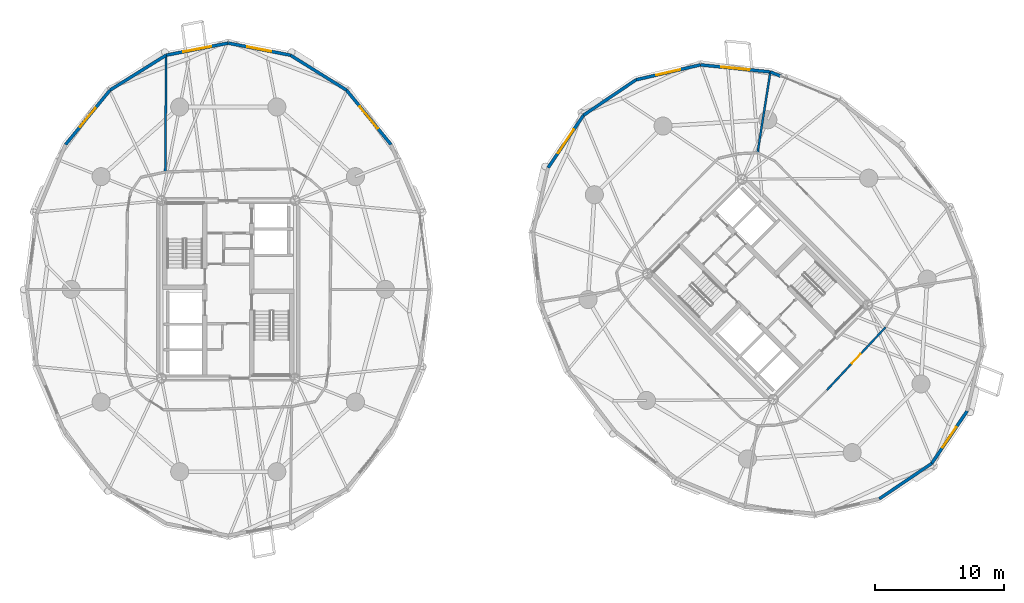
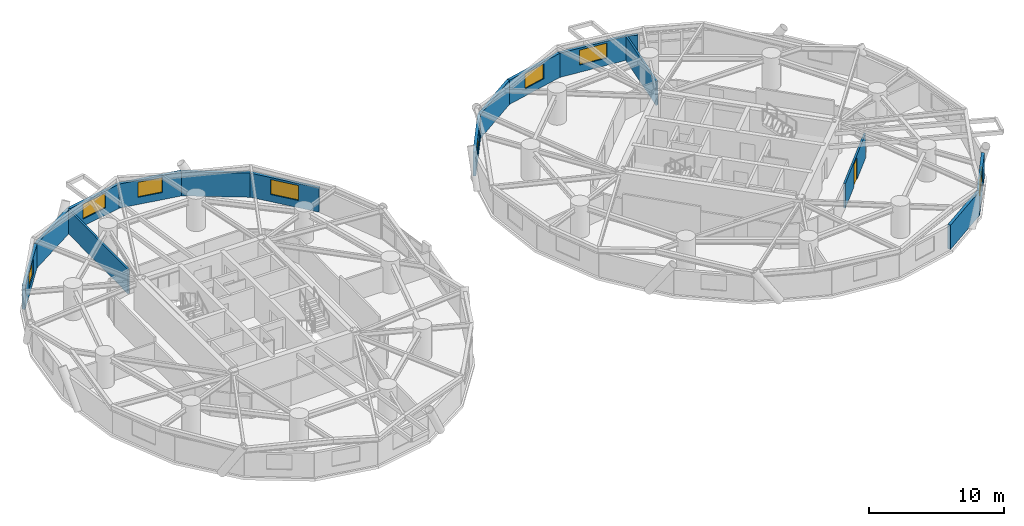
# One storey, part 13 of 16: 16 walls, 8 windows, 1 door, 9 openings.
"""IFC4 building model written with IfcOpenShell, lengths in metres."""

import ifcopenshell
import ifcopenshell.guid

model = None  # the IFC model being written
_history = None  # IfcOwnerHistory: only IFC2X3 demands one
_inside = {}  # id of a spatial element -> (the spatial element, [elements in it])
_under = {}  # id of a project, library or spatial element -> (it, [spatial elements below it])
_declared = {}  # id of a project -> (the project, [libraries it declares])
_typed = {}  # id of a type object -> (the type object, [elements of that type])
_made_of = {}  # id of a material, layer set ... -> (it, [elements and type objects made of it])


def new_model(schema):
    """Start an empty IFC model of exactly this schema.

    Asked for "IFC4X3", IfcOpenShell would pick the latest addendum, in which some entities
    have other attributes; the version numbers below select the first issue.
    IFC2X3 requires an IfcOwnerHistory on every rooted entity: one is made here for all.
    """
    global model, _history
    if schema == "IFC4X3":
        model = ifcopenshell.file(schema_version=(4, 3, 0, 0))
    else:
        model = ifcopenshell.file(schema=schema)
    _inside.clear()
    _under.clear()
    _declared.clear()
    _typed.clear()
    _made_of.clear()
    _history = None
    if model.schema == "IFC2X3":
        org = make("IfcOrganization", Name="unknown")
        user = make(
            "IfcPersonAndOrganization",
            ThePerson=make("IfcPerson", FamilyName="unknown"),
            TheOrganization=org,
        )
        app = make(
            "IfcApplication",
            ApplicationDeveloper=org,
            Version="unknown",
            ApplicationFullName="unknown",
            ApplicationIdentifier="unknown",
        )
        _history = make(
            "IfcOwnerHistory",
            OwningUser=user,
            OwningApplication=app,
            ChangeAction="ADDED",
            CreationDate=0,
        )
    return model


def make(cls, **values):
    """One entity of the class cls with the attributes given. An attribute that is None is left unset."""
    return model.create_entity(
        cls, **{name: value for name, value in values.items() if value is not None}
    )


def rooted(cls, **values):
    """An entity with a GlobalId (a new one), such as an element, a storey or a relation."""
    return make(cls, GlobalId=ifcopenshell.guid.new(), OwnerHistory=_history, **values)


def si_unit(unit_type, name, prefix=None):
    """IfcSIUnit, for example si_unit("LENGTHUNIT", "METRE", prefix="MILLI")."""
    return make("IfcSIUnit", UnitType=unit_type, Prefix=prefix, Name=name)


def assignment(units):
    """IfcUnitAssignment: the units of a project."""
    return None if units is None else make("IfcUnitAssignment", Units=units)


def point(xyz):
    """IfcCartesianPoint."""
    return None if xyz is None else make("IfcCartesianPoint", Coordinates=xyz)


def direction(xyz):
    """IfcDirection."""
    return None if xyz is None else make("IfcDirection", DirectionRatios=xyz)


def frame(location, z_axis=None, x_axis=None):
    """IfcAxis2Placement3D, a coordinate frame: its origin and axes. An axis left out is left unset."""
    return make(
        "IfcAxis2Placement3D",
        Location=point(location),
        Axis=direction(z_axis),
        RefDirection=direction(x_axis),
    )


def frame_2d(location, x_axis=None):
    """IfcAxis2Placement2D, a coordinate frame in the plane: its origin and x axis."""
    return make(
        "IfcAxis2Placement2D", Location=point(location), RefDirection=direction(x_axis)
    )


def origin():
    """The frame at (0, 0, 0) with its axes left unset."""
    return frame((0.0, 0.0, 0.0))


def place(relative_to, where):
    """IfcLocalPlacement: puts the frame where relative to a parent placement (None: the world)."""
    return make(
        "IfcLocalPlacement", PlacementRelTo=relative_to, RelativePlacement=where
    )


def context(
    kind, dimensions, precision=None, world=None, true_north=None, identifier=None
):
    """IfcGeometricRepresentationContext, for example the 3D "Model" context."""
    return make(
        "IfcGeometricRepresentationContext",
        ContextIdentifier=identifier,
        ContextType=kind,
        CoordinateSpaceDimension=dimensions,
        Precision=precision,
        WorldCoordinateSystem=world,
        TrueNorth=true_north,
    )


def subcontext(parent, identifier, kind, view, scale=None):
    """IfcGeometricRepresentationSubContext, for example "Body" below "Model"."""
    return make(
        "IfcGeometricRepresentationSubContext",
        ContextIdentifier=identifier,
        ContextType=kind,
        ParentContext=parent,
        TargetScale=scale,
        TargetView=view,
    )


def project(units=None, contexts=None):
    """IfcProject with its units and contexts."""
    return rooted(
        "IfcProject",
        Name="project",
        RepresentationContexts=contexts,
        UnitsInContext=assignment(units),
    )


def spatial(cls, under=None, at=None, **own):
    """A site, building, storey or space (cls), placed at a placement, below another one or the project."""
    s = rooted(cls, ObjectPlacement=at, **own)
    if under is not None:
        _under.setdefault(under.id(), (under, []))[1].append(s)
    return s


def profile(cls, at=None, kind="AREA", **sizes):
    """A parametric profile (cls). Its sizes go by their IFC names, for example OverallWidth=200.0."""
    return make(cls, ProfileType=kind, Position=at, **sizes)


def rectangle(**sizes):
    """IfcRectangleProfileDef."""
    return profile("IfcRectangleProfileDef", **sizes)


def extrude(swept, where, along, depth):
    """IfcExtrudedAreaSolid: the profile swept, set in the frame where, extruded along a direction by depth."""
    return make(
        "IfcExtrudedAreaSolid",
        SweptArea=swept,
        Position=where,
        ExtrudedDirection=direction(along),
        Depth=depth,
    )


def shape(context_of_items, identifier, shape_type, items):
    """IfcShapeRepresentation: the items that make up one representation, for example the "Body"."""
    return make(
        "IfcShapeRepresentation",
        ContextOfItems=context_of_items,
        RepresentationIdentifier=identifier,
        RepresentationType=shape_type,
        Items=items,
    )


def source(mapping_origin, context_of_items, identifier, shape_type, items):
    """IfcRepresentationMap: a shape defined once, which mapped items show again and again."""
    return make(
        "IfcRepresentationMap",
        MappingOrigin=mapping_origin,
        MappedRepresentation=shape(context_of_items, identifier, shape_type, items),
    )


def transform(
    local_origin,
    x_axis=None,
    y_axis=None,
    z_axis=None,
    scale=None,
    scale2=None,
    scale3=None,
    uniform=True,
):
    """IfcCartesianTransformationOperator3D, or its non-uniform kind. x_axis, y_axis, z_axis: its Axis1, 2, 3."""
    if uniform:
        return make(
            "IfcCartesianTransformationOperator3D",
            Axis1=direction(x_axis),
            Axis2=direction(y_axis),
            LocalOrigin=point(local_origin),
            Scale=scale,
            Axis3=direction(z_axis),
        )
    return make(
        "IfcCartesianTransformationOperator3DnonUniform",
        Axis1=direction(x_axis),
        Axis2=direction(y_axis),
        LocalOrigin=point(local_origin),
        Scale=scale,
        Axis3=direction(z_axis),
        Scale2=scale2,
        Scale3=scale3,
    )


def mapped(mapping_source, mapping_target):
    """IfcMappedItem: shows the shape of a source again, moved by a transform."""
    return make(
        "IfcMappedItem", MappingSource=mapping_source, MappingTarget=mapping_target
    )


def material(Name=None, Category=None):
    """IfcMaterial."""
    return make("IfcMaterial", Name=Name, Category=Category)


def layer(
    of_material, thickness, ventilated=None, Name=None, Category=None, Priority=None
):
    """IfcMaterialLayer: one layer of a wall or slab, of a material (None: an air gap)."""
    return make(
        "IfcMaterialLayer",
        Material=of_material,
        LayerThickness=thickness,
        IsVentilated=ventilated,
        Name=Name,
        Category=Category,
        Priority=Priority,
    )


def layer_set(layers, Name=None):
    """IfcMaterialLayerSet."""
    return make("IfcMaterialLayerSet", MaterialLayers=layers, LayerSetName=Name)


def made_of(thing, what):
    """Note that an element or type object is made of a material, layer set ...; save() writes the relation."""
    if what is not None:
        _made_of.setdefault(what.id(), (what, []))[1].append(thing)
    return thing


def type_object(cls, material=None, **own):
    """A type object (cls), such as IfcWallType, which elements share."""
    return made_of(rooted(cls, **own), material)


def element(
    cls,
    number,
    at=None,
    inside=None,
    cuts=None,
    type_object=None,
    material=None,
    context=None,
    identifier="Body",
    shape_type=None,
    held_by="IfcProductDefinitionShape",
    body=None,
    shapes=None,
    **own,
):
    """One element of the class cls, such as IfcWall. Its Tag is "e" and its number.

    at: its placement. inside: the storey or other place that contains it. cuts: it is an
    opening in that element (IfcRelVoidsElement). A single representation is given by context,
    identifier, shape_type and body (its items); several are given by shapes. held_by: the class
    of the entity that holds the representations. save() writes the other relations.
    """
    e = rooted(cls, Tag="e%d" % number, ObjectPlacement=at, **own)
    if body is not None:
        shapes = [shape(context, identifier, shape_type, body)]
    if shapes is not None:
        e.Representation = make(held_by, Representations=shapes)
    if inside is not None:
        _inside.setdefault(inside.id(), (inside, []))[1].append(e)
    if cuts is not None:
        rooted(
            "IfcRelVoidsElement", RelatingBuildingElement=cuts, RelatedOpeningElement=e
        )
    if type_object is not None:
        _typed.setdefault(type_object.id(), (type_object, []))[1].append(e)
    return made_of(e, material)


def fill(opening, filler):
    """IfcRelFillsElement: the door or window that sits in an opening."""
    return rooted(
        "IfcRelFillsElement",
        RelatingOpeningElement=opening,
        RelatedBuildingElement=filler,
    )


def aggregate(whole, parts):
    """IfcRelAggregates: a whole, such as a stair, and the parts it consists of."""
    return rooted("IfcRelAggregates", RelatingObject=whole, RelatedObjects=parts)


def save(model, path):
    """Write the relations noted so far, then the file.

    IfcRelAggregates (storeys below a building ...), IfcRelContainedInSpatialStructure (elements
    in a storey), IfcRelDefinesByType, IfcRelAssociatesMaterial and IfcRelDeclares: one each for
    every whole, place, type object, material and project.
    """
    for whole, parts in _under.values():
        aggregate(whole, parts)
    for where, things in _inside.values():
        rooted(
            "IfcRelContainedInSpatialStructure",
            RelatedElements=things,
            RelatingStructure=where,
        )
    for kind, things in _typed.values():
        rooted("IfcRelDefinesByType", RelatedObjects=things, RelatingType=kind)
    for what, things in _made_of.values():
        rooted("IfcRelAssociatesMaterial", RelatedObjects=things, RelatingMaterial=what)
    for by, libraries in _declared.values():
        rooted("IfcRelDeclares", RelatingContext=by, RelatedDefinitions=libraries)
    model.write(path)


model = new_model("IFC4")

# Units and contexts
model_context = context("Model", 3, precision=1e-05, world=origin(), true_north=direction((0.0, 1.0)))
body_context = subcontext(model_context, "Body", "Model", "MODEL_VIEW")
ifc_project = project(units=[si_unit("LENGTHUNIT", "METRE"), si_unit("AREAUNIT", "SQUARE_METRE"), si_unit("VOLUMEUNIT", "CUBIC_METRE"), si_unit("PLANEANGLEUNIT", "RADIAN"), si_unit("MASSUNIT", "GRAM", prefix="KILO")], contexts=[model_context])

# Site, building, storey
site_placement = place(None, origin())
site = spatial("IfcSite", under=ifc_project, at=site_placement, CompositionType="ELEMENT")
building_placement = place(site_placement, origin())
building = spatial("IfcBuilding", under=site, at=building_placement, Name="Cununo Teusaquillo Station Towers", CompositionType="ELEMENT")
storey_placement = place(building_placement, frame((0.0, 0.0, 73.06005859375)))
storey = spatial("IfcBuildingStorey", under=building, at=storey_placement, Name="L22", CompositionType="ELEMENT", Elevation=73.06005859375)

# Wall, opening, window
ifc_material_1 = material(Name="Precast concrete C40/50", Category="concrete")
ifc_layer_1 = layer(ifc_material_1, 0.239990234375)
ifc_layer_set_1 = layer_set([ifc_layer_1], Name="Precast concrete C40/50")
wall_type_1 = type_object("IfcWallType", Name="WL-EXT-240", PredefinedType="SOLIDWALL", material=ifc_layer_set_1)
wall_1_placement = place(storey_placement, frame((25.658203125, 39.927978515625, 0.0), z_axis=(0.0, 0.0, 1.0), x_axis=(0.632700781152, -0.77439635945, 0.0)))
wall_1 = element("IfcWall", 1, at=wall_1_placement, inside=storey, type_object=wall_type_1, Name="L22 Tower A Exterior Facade Wall C02", PredefinedType="SOLIDWALL", context=body_context, shape_type="SweptSolid", body=[
    extrude(rectangle(XDim=5.447998046875, YDim=0.239990234375, at=frame_2d((2.72412109375, 0.0))), origin(), (0.0, 0.0, 1.0), 2.178955078125),
])
shared_shape_1 = source(origin(), body_context, "Body", "SweptSolid", [
    extrude(rectangle(XDim=2.199951171875, YDim=1.35009765625, at=frame_2d((1.10009765625, 0.675048828125))), frame((0.0, 0.1298828125, 0.0), z_axis=(0.0, -1.0, 0.0), x_axis=(1.0, 0.0, 0.0)), (0.0, 0.0, 1.0), 0.260009765625),
])
opening_1_placement = place(wall_1_placement, frame((1.6240234375, 0.0, 0.64990234375)))
opening_1 = element("IfcOpeningElement", 2, at=opening_1_placement, cuts=wall_1, Name="Opening WN-01", PredefinedType="OPENING", context=body_context, shape_type="MappedRepresentation", body=[
    mapped(shared_shape_1, transform((0.0, 0.0, 0.0), x_axis=(1.0, 0.0, 0.0), y_axis=(0.0, 1.0, 0.0), z_axis=(0.0, 0.0, 1.0), scale=1.0)),
])
ifc_material_2 = material(Name="Ceramic-fritted dark low-E double glazing", Category="glass")
window_type_1 = type_object("IfcWindowType", Name="WIN-FRIT-2200", PartitioningType="DOUBLE_PANEL_VERTICAL", PredefinedType="WINDOW", material=ifc_material_2)
shared_shape_2 = source(origin(), body_context, "Body", "SweptSolid", [
    extrude(rectangle(XDim=2.199951171875, YDim=1.35009765625, at=frame_2d((1.10009765625, 0.675048828125))), frame((0.0, 0.030029296875, 0.0), z_axis=(0.0, -1.0, 0.0), x_axis=(1.0, 0.0, 0.0)), (0.0, 0.0, 1.0), 0.06005859375),
])
window_1_placement = place(opening_1_placement, origin())
window_1 = element("IfcWindow", 3, at=window_1_placement, inside=storey, type_object=window_type_1, Name="L22 Tower A Facade Window C02", OverallHeight=1.35009765625, OverallWidth=2.199951171875, PartitioningType="DOUBLE_PANEL_VERTICAL", PredefinedType="WINDOW", context=body_context, shape_type="MappedRepresentation", body=[
    mapped(shared_shape_2, transform((0.0, 0.0, 0.0), x_axis=(1.0, 0.0, 0.0), y_axis=(0.0, 1.0, 0.0), z_axis=(0.0, 0.0, 1.0), scale=1.0)),
])
fill(opening_1, window_1)

# Wall
wall_2_placement = place(storey_placement, frame((21.314697265625, 42.63671875, 0.0), z_axis=(0.0, 0.0, 1.0), x_axis=(0.848520380187, -0.529162701263, 0.0)))
element("IfcWall", 4, at=wall_2_placement, inside=storey, type_object=wall_type_1, Name="L22 Tower A Exterior Facade Wall C03", PredefinedType="SOLIDWALL", context=body_context, shape_type="SweptSolid", body=[
    extrude(rectangle(XDim=5.118896484375, YDim=0.239990234375, at=frame_2d((2.5595703125, 0.0))), origin(), (0.0, 0.0, 1.0), 2.178955078125),
])

# Wall, opening, window
wall_3_placement = place(storey_placement, frame((16.5, 43.570068359375, 0.0), z_axis=(0.0, 0.0, 1.0), x_axis=(0.981723785992, -0.190311344954, 0.0)))
wall_3 = element("IfcWall", 5, at=wall_3_placement, inside=storey, type_object=wall_type_1, Name="L22 Tower A Exterior Facade Wall C04", PredefinedType="SOLIDWALL", context=body_context, shape_type="SweptSolid", body=[
    extrude(rectangle(XDim=4.904296875, YDim=0.239990234375, at=frame_2d((2.4521484375, 0.0))), origin(), (0.0, 0.0, 1.0), 2.178955078125),
])
shared_shape_3 = source(origin(), body_context, "Body", "SweptSolid", [
    extrude(rectangle(XDim=1.89990234375, YDim=1.35009765625, at=frame_2d((0.949951171875, 0.675048828125))), frame((0.0, 0.1298828125, 0.0), z_axis=(0.0, -1.0, 0.0), x_axis=(1.0, 0.0, 0.0)), (0.0, 0.0, 1.0), 0.260009765625),
])
opening_2_placement = place(wall_3_placement, frame((1.501953125, 0.0, 0.64990234375)))
opening_2 = element("IfcOpeningElement", 6, at=opening_2_placement, cuts=wall_3, Name="Opening WN-02", PredefinedType="OPENING", context=body_context, shape_type="MappedRepresentation", body=[
    mapped(shared_shape_3, transform((0.0, 0.0, 0.0), x_axis=(1.0, 0.0, 0.0), y_axis=(0.0, 1.0, 0.0), z_axis=(0.0, 0.0, 1.0), scale=1.0)),
])
ifc_material_3 = material(Name="Operable acoustic tinted low-E double glazing", Category="glass")
window_type_2 = type_object("IfcWindowType", Name="WIN-OPER-1900", PartitioningType="DOUBLE_PANEL_VERTICAL", PredefinedType="WINDOW", material=ifc_material_3)
shared_shape_4 = source(origin(), body_context, "Body", "SweptSolid", [
    extrude(rectangle(XDim=1.89990234375, YDim=1.35009765625, at=frame_2d((0.949951171875, 0.675048828125))), frame((0.0, 0.030029296875, 0.0), z_axis=(0.0, -1.0, 0.0), x_axis=(1.0, 0.0, 0.0)), (0.0, 0.0, 1.0), 0.06005859375),
])
window_2_placement = place(opening_2_placement, origin())
window_2 = element("IfcWindow", 7, at=window_2_placement, inside=storey, type_object=window_type_2, Name="L22 Tower A Facade Window C04", OverallHeight=1.35009765625, OverallWidth=1.89990234375, PartitioningType="DOUBLE_PANEL_VERTICAL", PredefinedType="WINDOW", context=body_context, shape_type="MappedRepresentation", body=[
    mapped(shared_shape_4, transform((0.0, 0.0, 0.0), x_axis=(1.0, 0.0, 0.0), y_axis=(0.0, 1.0, 0.0), z_axis=(0.0, 0.0, 1.0), scale=1.0)),
])
fill(opening_2, window_2)

wall_4_placement = place(storey_placement, frame((11.685302734375, 42.63671875, 0.0), z_axis=(0.0, 0.0, 1.0), x_axis=(0.981723785992, 0.190311344954, 0.0)))
wall_4 = element("IfcWall", 8, at=wall_4_placement, inside=storey, type_object=wall_type_1, Name="L22 Tower A Exterior Facade Wall C05", PredefinedType="SOLIDWALL", context=body_context, shape_type="SweptSolid", body=[
    extrude(rectangle(XDim=4.904296875, YDim=0.239990234375, at=frame_2d((2.4521484375, 0.0))), origin(), (0.0, 0.0, 1.0), 2.178955078125),
])
opening_3_placement = place(wall_4_placement, frame((1.35205078125, 0.0, 0.64990234375)))
opening_3 = element("IfcOpeningElement", 9, at=opening_3_placement, cuts=wall_4, Name="Opening WN-01", PredefinedType="OPENING", context=body_context, shape_type="MappedRepresentation", body=[
    mapped(shared_shape_1, transform((0.0, 0.0, 0.0), x_axis=(1.0, 0.0, 0.0), y_axis=(0.0, 1.0, 0.0), z_axis=(0.0, 0.0, 1.0), scale=1.0)),
])
window_3_placement = place(opening_3_placement, origin())
window_3 = element("IfcWindow", 10, at=window_3_placement, inside=storey, type_object=window_type_1, Name="L22 Tower A Facade Window C05", OverallHeight=1.35009765625, OverallWidth=2.199951171875, PartitioningType="DOUBLE_PANEL_VERTICAL", PredefinedType="WINDOW", context=body_context, shape_type="MappedRepresentation", body=[
    mapped(shared_shape_2, transform((0.0, 0.0, 0.0), x_axis=(1.0, 0.0, 0.0), y_axis=(0.0, 1.0, 0.0), z_axis=(0.0, 0.0, 1.0), scale=1.0)),
])
fill(opening_3, window_3)

# Wall
wall_5_placement = place(storey_placement, frame((7.341796875, 39.927978515625, 0.0), z_axis=(0.0, 0.0, 1.0), x_axis=(0.848520380187, 0.529162701263, 0.0)))
element("IfcWall", 11, at=wall_5_placement, inside=storey, type_object=wall_type_1, Name="L22 Tower A Exterior Facade Wall C06", PredefinedType="SOLIDWALL", context=body_context, shape_type="SweptSolid", body=[
    extrude(rectangle(XDim=5.118896484375, YDim=0.239990234375, at=frame_2d((2.5595703125, 0.0))), origin(), (0.0, 0.0, 1.0), 2.178955078125),
])

# Wall, opening, window
wall_6_placement = place(storey_placement, frame((3.894775390625, 35.708984375, 0.0), z_axis=(0.0, 0.0, 1.0), x_axis=(0.632700781152, 0.77439635945, 0.0)))
wall_6 = element("IfcWall", 12, at=wall_6_placement, inside=storey, type_object=wall_type_1, Name="L22 Tower A Exterior Facade Wall C07", PredefinedType="SOLIDWALL", context=body_context, shape_type="SweptSolid", body=[
    extrude(rectangle(XDim=5.447998046875, YDim=0.239990234375, at=frame_2d((2.72412109375, 0.0))), origin(), (0.0, 0.0, 1.0), 2.178955078125),
])
opening_4_placement = place(wall_6_placement, frame((1.77392578125, 0.0, 0.64990234375)))
opening_4 = element("IfcOpeningElement", 13, at=opening_4_placement, cuts=wall_6, Name="Opening WN-02", PredefinedType="OPENING", context=body_context, shape_type="MappedRepresentation", body=[
    mapped(shared_shape_3, transform((0.0, 0.0, 0.0), x_axis=(1.0, 0.0, 0.0), y_axis=(0.0, 1.0, 0.0), z_axis=(0.0, 0.0, 1.0), scale=1.0)),
])
window_4_placement = place(opening_4_placement, origin())
window_4 = element("IfcWindow", 14, at=window_4_placement, inside=storey, type_object=window_type_2, Name="L22 Tower A Facade Window C07", OverallHeight=1.35009765625, OverallWidth=1.89990234375, PartitioningType="DOUBLE_PANEL_VERTICAL", PredefinedType="WINDOW", context=body_context, shape_type="MappedRepresentation", body=[
    mapped(shared_shape_4, transform((0.0, 0.0, 0.0), x_axis=(1.0, 0.0, 0.0), y_axis=(0.0, 1.0, 0.0), z_axis=(0.0, 0.0, 1.0), scale=1.0)),
])
fill(opening_4, window_4)

# Wall
wall_7_placement = place(storey_placement, frame((58.4873046875, 41.33935546875, 0.0), z_axis=(0.0, 0.0, 1.0), x_axis=(0.924556017656, -0.381046152345, 0.0)))
element("IfcWall", 15, at=wall_7_placement, inside=storey, type_object=wall_type_1, Name="L22 Tower B Column Pier Cladding Wall C01-PA", PredefinedType="SOLIDWALL", context=body_context, shape_type="SweptSolid", body=[
    extrude(rectangle(XDim=0.8701171875, YDim=0.239990234375, at=frame_2d((0.43505859375, 0.0))), origin(), (0.0, 0.0, 1.0), 2.178955078125),
])

# Wall, opening, window
wall_8_placement = place(storey_placement, frame((53.066650390625, 41.885009765625, 0.0), z_axis=(0.0, 0.0, 1.0), x_axis=(0.994971754311, -0.10015591906, 0.0)))
wall_8 = element("IfcWall", 16, at=wall_8_placement, inside=storey, type_object=wall_type_1, Name="L22 Tower B Exterior Facade Wall C02", PredefinedType="SOLIDWALL", context=body_context, shape_type="SweptSolid", body=[
    extrude(rectangle(XDim=5.447998046875, YDim=0.239990234375, at=frame_2d((2.72412109375, 0.0))), origin(), (0.0, 0.0, 1.0), 2.178955078125),
])
opening_5_placement = place(wall_8_placement, frame((1.6240234375, 0.0, 0.64990234375)))
opening_5 = element("IfcOpeningElement", 17, at=opening_5_placement, cuts=wall_8, Name="Opening WN-01", PredefinedType="OPENING", context=body_context, shape_type="MappedRepresentation", body=[
    mapped(shared_shape_1, transform((0.0, 0.0, 0.0), x_axis=(1.0, 0.0, 0.0), y_axis=(0.0, 1.0, 0.0), z_axis=(0.0, 0.0, 1.0), scale=1.0)),
])
window_5_placement = place(opening_5_placement, origin())
window_5 = element("IfcWindow", 18, at=window_5_placement, inside=storey, type_object=window_type_1, Name="L22 Tower B Facade Window C02", OverallHeight=1.35009765625, OverallWidth=2.199951171875, PartitioningType="DOUBLE_PANEL_VERTICAL", PredefinedType="WINDOW", context=body_context, shape_type="MappedRepresentation", body=[
    mapped(shared_shape_2, transform((0.0, 0.0, 0.0), x_axis=(1.0, 0.0, 0.0), y_axis=(0.0, 1.0, 0.0), z_axis=(0.0, 0.0, 1.0), scale=1.0)),
])
fill(opening_5, window_5)

wall_9_placement = place(storey_placement, frame((48.080078125, 40.72900390625, 0.0), z_axis=(0.0, 0.0, 1.0), x_axis=(0.974165631126, 0.225834725257, 0.0)))
wall_9 = element("IfcWall", 19, at=wall_9_placement, inside=storey, type_object=wall_type_1, Name="L22 Tower B Exterior Facade Wall C03", PredefinedType="SOLIDWALL", context=body_context, shape_type="SweptSolid", body=[
    extrude(rectangle(XDim=5.118896484375, YDim=0.239990234375, at=frame_2d((2.5595703125, 0.0))), origin(), (0.0, 0.0, 1.0), 2.178955078125),
])
opening_6_placement = place(wall_9_placement, frame((1.60888671875, 0.0, 0.64990234375)))
opening_6 = element("IfcOpeningElement", 20, at=opening_6_placement, cuts=wall_9, Name="Opening WN-02", PredefinedType="OPENING", context=body_context, shape_type="MappedRepresentation", body=[
    mapped(shared_shape_3, transform((0.0, 0.0, 0.0), x_axis=(1.0, 0.0, 0.0), y_axis=(0.0, 1.0, 0.0), z_axis=(0.0, 0.0, 1.0), scale=1.0)),
])
window_6_placement = place(opening_6_placement, origin())
window_6 = element("IfcWindow", 21, at=window_6_placement, inside=storey, type_object=window_type_2, Name="L22 Tower B Facade Window C03", OverallHeight=1.35009765625, OverallWidth=1.89990234375, PartitioningType="DOUBLE_PANEL_VERTICAL", PredefinedType="WINDOW", context=body_context, shape_type="MappedRepresentation", body=[
    mapped(shared_shape_4, transform((0.0, 0.0, 0.0), x_axis=(1.0, 0.0, 0.0), y_axis=(0.0, 1.0, 0.0), z_axis=(0.0, 0.0, 1.0), scale=1.0)),
])
fill(opening_6, window_6)

# Wall
wall_10_placement = place(storey_placement, frame((44.015380859375, 37.984619140625, 0.0), z_axis=(0.0, 0.0, 1.0), x_axis=(0.828781148131, 0.559572880421, 0.0)))
element("IfcWall", 22, at=wall_10_placement, inside=storey, type_object=wall_type_1, Name="L22 Tower B Exterior Facade Wall C04", PredefinedType="SOLIDWALL", context=body_context, shape_type="SweptSolid", body=[
    extrude(rectangle(XDim=4.904541015625, YDim=0.239990234375, at=frame_2d((2.4521484375, 0.0))), origin(), (0.0, 0.0, 1.0), 2.178955078125),
])

# Wall, opening, window
wall_11_placement = place(storey_placement, frame((41.27099609375, 33.919921875, 0.0), z_axis=(0.0, 0.0, 1.0), x_axis=(0.559572880421, 0.828781148131, 0.0)))
wall_11 = element("IfcWall", 23, at=wall_11_placement, inside=storey, type_object=wall_type_1, Name="L22 Tower B Exterior Facade Wall C05", PredefinedType="SOLIDWALL", context=body_context, shape_type="SweptSolid", body=[
    extrude(rectangle(XDim=4.904541015625, YDim=0.239990234375, at=frame_2d((2.4521484375, 0.0))), origin(), (0.0, 0.0, 1.0), 2.178955078125),
])
opening_7_placement = place(wall_11_placement, frame((1.35205078125, 0.0, 0.64990234375)))
opening_7 = element("IfcOpeningElement", 24, at=opening_7_placement, cuts=wall_11, Name="Opening WN-01", PredefinedType="OPENING", context=body_context, shape_type="MappedRepresentation", body=[
    mapped(shared_shape_1, transform((0.0, 0.0, 0.0), x_axis=(1.0, 0.0, 0.0), y_axis=(0.0, 1.0, 0.0), z_axis=(0.0, 0.0, 1.0), scale=1.0)),
])
window_7_placement = place(opening_7_placement, origin())
window_7 = element("IfcWindow", 25, at=window_7_placement, inside=storey, type_object=window_type_1, Name="L22 Tower B Facade Window C05", OverallHeight=1.35009765625, OverallWidth=2.199951171875, PartitioningType="DOUBLE_PANEL_VERTICAL", PredefinedType="WINDOW", context=body_context, shape_type="MappedRepresentation", body=[
    mapped(shared_shape_2, transform((0.0, 0.0, 0.0), x_axis=(1.0, 0.0, 0.0), y_axis=(0.0, 1.0, 0.0), z_axis=(0.0, 0.0, 1.0), scale=1.0)),
])
fill(opening_7, window_7)

# Wall
wall_12_placement = place(storey_placement, frame((70.984619140625, 11.015380859375, 0.0), z_axis=(0.0, 0.0, 1.0), x_axis=(-0.828781148131, -0.559572880421, 0.0)))
element("IfcWall", 26, at=wall_12_placement, inside=storey, type_object=wall_type_1, Name="L22 Tower B Exterior Facade Wall C14", PredefinedType="SOLIDWALL", context=body_context, shape_type="SweptSolid", body=[
    extrude(rectangle(XDim=4.904541015625, YDim=0.239990234375, at=frame_2d((2.4521484375, 0.0))), origin(), (0.0, 0.0, 1.0), 2.178955078125),
])

# Wall, opening, window
wall_13_placement = place(storey_placement, frame((73.72900390625, 15.080078125, 0.0), z_axis=(0.0, 0.0, 1.0), x_axis=(-0.559572880421, -0.828781148131, 0.0)))
wall_13 = element("IfcWall", 27, at=wall_13_placement, inside=storey, type_object=wall_type_1, Name="L22 Tower B Exterior Facade Wall C15", PredefinedType="SOLIDWALL", context=body_context, shape_type="SweptSolid", body=[
    extrude(rectangle(XDim=4.904541015625, YDim=0.239990234375, at=frame_2d((2.4521484375, 0.0))), origin(), (0.0, 0.0, 1.0), 2.178955078125),
])
opening_8_placement = place(wall_13_placement, frame((1.501953125, 0.0, 0.64990234375)))
opening_8 = element("IfcOpeningElement", 28, at=opening_8_placement, cuts=wall_13, Name="Opening WN-02", PredefinedType="OPENING", context=body_context, shape_type="MappedRepresentation", body=[
    mapped(shared_shape_3, transform((0.0, 0.0, 0.0), x_axis=(1.0, 0.0, 0.0), y_axis=(0.0, 1.0, 0.0), z_axis=(0.0, 0.0, 1.0), scale=1.0)),
])
window_8_placement = place(opening_8_placement, origin())
window_8 = element("IfcWindow", 29, at=window_8_placement, inside=storey, type_object=window_type_2, Name="L22 Tower B Facade Window C15", OverallHeight=1.35009765625, OverallWidth=1.89990234375, PartitioningType="DOUBLE_PANEL_VERTICAL", PredefinedType="WINDOW", context=body_context, shape_type="MappedRepresentation", body=[
    mapped(shared_shape_4, transform((0.0, 0.0, 0.0), x_axis=(1.0, 0.0, 0.0), y_axis=(0.0, 1.0, 0.0), z_axis=(0.0, 0.0, 1.0), scale=1.0)),
])
fill(opening_8, window_8)

# Wall, opening, door
ifc_material_4 = material(Name="Fire-rated gypsum plasterboard partition assembly", Category="gypsum")
ifc_layer_2 = layer(ifc_material_4, 0.14990234375)
ifc_layer_set_2 = layer_set([ifc_layer_2], Name="Fire-rated gypsum plasterboard partition assembly")
wall_type_2 = type_object("IfcWallType", Name="WL-PART-150", PredefinedType="PARTITIONING", material=ifc_layer_set_2)
wall_14_placement = place(storey_placement, frame((62.8671875, 16.70166015625, 0.0), z_axis=(0.0, 0.0, 1.0), x_axis=(0.682449206191, 0.73093302085, 0.0)))
wall_14 = element("IfcWall", 30, at=wall_14_placement, inside=storey, type_object=wall_type_2, Name="L22 Tower B Corridor Ring Wall C15", PredefinedType="PARTITIONING", context=body_context, shape_type="SweptSolid", body=[
    extrude(rectangle(XDim=6.641845703125, YDim=0.14990234375, at=frame_2d((3.32080078125, 0.0))), origin(), (0.0, 0.0, 1.0), 2.224853515625),
])
shared_shape_5 = source(origin(), body_context, "Body", "SweptSolid", [
    extrude(rectangle(XDim=1.0, YDim=2.014892578125, at=frame_2d((0.5, 1.00732421875))), frame((0.0, 0.0849609375, 0.0), z_axis=(0.0, -1.0, 0.0), x_axis=(1.0, 0.0, 0.0)), (0.0, 0.0, 1.0), 0.169921875),
])
opening_9_placement = place(wall_14_placement, frame((2.82080078125, 0.0, 0.0)))
opening_9 = element("IfcOpeningElement", 31, at=opening_9_placement, cuts=wall_14, Name="Opening D-AC1", PredefinedType="OPENING", context=body_context, shape_type="MappedRepresentation", body=[
    mapped(shared_shape_5, transform((0.0, 0.0, 0.0), x_axis=(1.0, 0.0, 0.0), y_axis=(0.0, 1.0, 0.0), z_axis=(0.0, 0.0, 1.0), scale=1.0)),
])
ifc_material_5 = material(Name="Acoustic solid-core hardwood leaf assembly", Category="wood")
door_type = type_object("IfcDoorType", Name="DR-ACC-1000", OperationType="NOTDEFINED", PredefinedType="DOOR", material=ifc_material_5)
shared_shape_6 = source(origin(), body_context, "Body", "SweptSolid", [
    extrude(rectangle(XDim=1.0, YDim=2.014892578125, at=frame_2d((0.5, 1.00732421875))), frame((0.0, 0.02490234375, 0.0), z_axis=(0.0, -1.0, 0.0), x_axis=(1.0, 0.0, 0.0)), (0.0, 0.0, 1.0), 0.050048828125),
])
door_placement = place(opening_9_placement, origin())
door = element("IfcDoor", 32, at=door_placement, inside=storey, type_object=door_type, Name="L22 Tower B Public Accessible Restroom WC Entrance Door", OperationType="SINGLE_SWING_LEFT", OverallHeight=2.014892578125, OverallWidth=1.0, PredefinedType="DOOR", context=body_context, shape_type="MappedRepresentation", body=[
    mapped(shared_shape_6, transform((0.0, 0.0, 0.0), x_axis=(1.0, 0.0, 0.0), y_axis=(0.0, 1.0, 0.0), z_axis=(0.0, 0.0, 1.0), scale=1.0)),
])
fill(opening_9, door)

# Walls
ifc_material_6 = material(Name="Fire-rated gypsum plasterboard partition assembly", Category="gypsum")
ifc_layer_3 = layer(ifc_material_6, 0.159912109375)
ifc_layer_set_3 = layer_set([ifc_layer_3], Name="Fire-rated gypsum plasterboard partition assembly")
wall_type_3 = type_object("IfcWallType", Name="WL-PART-160", PredefinedType="PARTITIONING", material=ifc_layer_set_3)
wall_15_placement = place(storey_placement, frame((11.619873046875, 33.587890625, 0.0), z_axis=(0.0, 0.0, 1.0), x_axis=(0.007921667836, 0.999968623097, 0.0)))
element("IfcWall", 33, at=wall_15_placement, inside=storey, type_object=wall_type_3, Name="L22 Tower A Radial Suite Partition R02", PredefinedType="PARTITIONING", context=body_context, shape_type="SweptSolid", body=[
    extrude(rectangle(XDim=9.030029296875, YDim=0.159912109375, at=frame_2d((4.51513671875, 0.0))), origin(), (0.0, 0.0, 1.0), 2.178955078125),
])
wall_16_placement = place(storey_placement, frame((57.4951171875, 35.082763671875, 0.0), z_axis=(0.0, 0.0, 1.0), x_axis=(0.156619688156, 0.987658986332, 0.0)))
element("IfcWall", 34, at=wall_16_placement, inside=storey, type_object=wall_type_3, Name="L22 Tower B Radial Suite Partition R01", PredefinedType="PARTITIONING", context=body_context, shape_type="SweptSolid", body=[
    extrude(rectangle(XDim=6.314697265625, YDim=0.159912109375, at=frame_2d((3.1572265625, 0.0))), origin(), (0.0, 0.0, 1.0), 2.178955078125),
])

save(model, "model.ifc")
